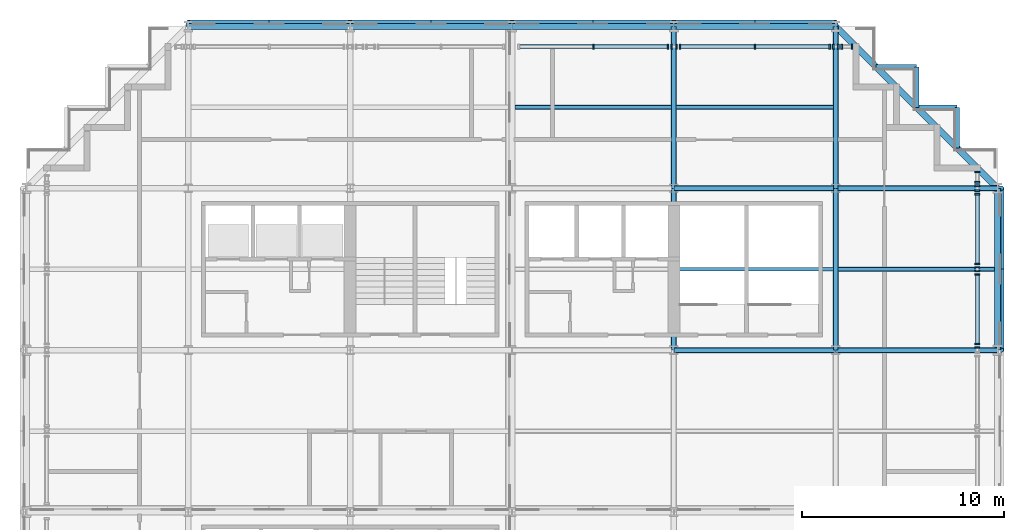
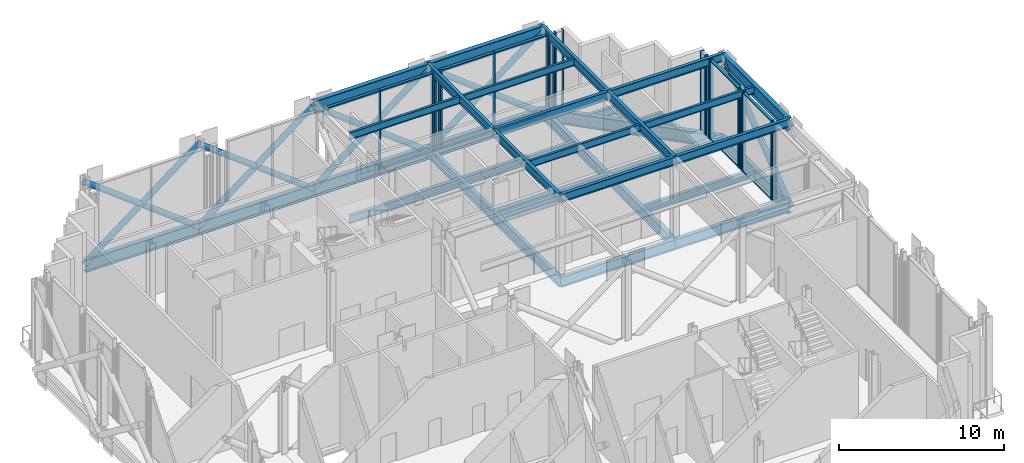
# One storey, part 7 of 25: 43 members, 36 beams, 11 elements without a shape of their own.
"""IFC4 building model written with IfcOpenShell, lengths in metres."""

from ifc_helpers import new_model, si_unit, direction, frame, origin, origin_2d, place, context, subcontext, project, spatial, rectangle, hollow_circle, i_section, extrude, material, material_profile, profile_set, type_object, element, aggregate, save


model = new_model("IFC4")

# Units and contexts
model_context = context("Model", 3, precision=1e-05, world=origin(), true_north=direction((0.0, 1.0)))
body_context = subcontext(model_context, "Body", "Model", "MODEL_VIEW")
ifc_project = project(units=[si_unit("LENGTHUNIT", "METRE"), si_unit("AREAUNIT", "SQUARE_METRE"), si_unit("VOLUMEUNIT", "CUBIC_METRE"), si_unit("PLANEANGLEUNIT", "RADIAN"), si_unit("MASSUNIT", "GRAM", prefix="KILO")], contexts=[model_context])

# Site, building, storey
site_placement = place(None, origin())
site = spatial("IfcSite", under=ifc_project, at=site_placement, CompositionType="ELEMENT")
building_placement = place(site_placement, origin())
building = spatial("IfcBuilding", under=site, at=building_placement, Name="Immortelle Media Tower", CompositionType="ELEMENT")
storey_placement = place(building_placement, frame((0.0, 0.0, 114.0)))
storey = spatial("IfcBuildingStorey", under=building, at=storey_placement, Name="L22", CompositionType="ELEMENT", Elevation=114.0)

# Members
ifc_material_1 = material(Name="Steel ASTM A500 Gr C", Category="steel")
ifc_material_profile_1 = material_profile(ifc_material_1, hollow_circle(Radius=0.202880859375, WallThickness=0.011962890625, at=origin_2d()), Name="HSS16.000x0.500 truss diagonal")
ifc_profile_set_1 = profile_set([ifc_material_profile_1], Name="Steel ASTM A500 Gr C")
member_type_1 = type_object("IfcMemberType", Name="HSS16.000x0.500 truss diagonal", PredefinedType="BRACE", material=ifc_profile_set_1)
for number, where, z_axis, x_axis, name in (
    (1, (8.0, 48.113037109375, -0.72509765625), (0.794648909693, 0.0, 0.607069279674), (0.0, 1.0, 0.0), "Belt truss G/2-3 A"),
    (2, (8.0, 48.113037109375, 5.386474609375), (0.794648909693, 0.0, -0.607069279674), (0.0, 1.0, 0.0), "Belt truss G/2-3 B"),
    (3, (16.0, 48.113037109375, -0.72509765625), (0.794648909693, 0.0, 0.607069279674), (0.0, 1.0, 0.0), "Belt truss G/3-4 A"),
    (4, (16.0, 48.113037109375, 5.386474609375), (0.794648909693, 0.0, -0.607069279674), (0.0, 1.0, 0.0), "Belt truss G/3-4 B"),
    (5, (24.0, 48.113037109375, -0.72509765625), (0.794648909693, 0.0, 0.607069279674), (0.0, 1.0, 0.0), "Belt truss G/4-5 A"),
    (6, (24.0, 48.113037109375, 5.386474609375), (0.794648909693, 0.0, -0.607069279674), (0.0, 1.0, 0.0), "Belt truss G/4-5 B"),
    (7, (32.0, 48.113037109375, -0.72509765625), (0.794648909693, 0.0, 0.607069279674), (0.0, 1.0, 0.0), "Belt truss G/5-6 A"),
    (8, (32.0, 48.113037109375, 5.386474609375), (0.794648909693, 0.0, -0.607069279674), (0.0, 1.0, 0.0), "Belt truss G/5-6 B"),
    (9, (48.113037109375, 32.0, -0.72509765625), (0.0, 0.794648909693, 0.607069279674), (-1.0, 0.0, 0.0), "Belt truss 7/E-F A"),
    (10, (48.113037109375, 32.0, 5.386474609375), (0.0, 0.794648909693, -0.607069279674), (-1.0, 0.0, 0.0), "Belt truss 7/E-F B"),
):
    element("IfcMember", number, at=place(storey_placement, frame(where, z_axis=z_axis, x_axis=x_axis)), inside=storey, type_object=member_type_1, Name=name, PredefinedType="BRACE", context=body_context, shape_type="SweptSolid", body=[
        extrude(hollow_circle(Radius=0.202880859375, WallThickness=0.011962890625, at=origin_2d()), origin(), (0.0, 0.0, 1.0), 10.0673828125),
    ])

# Curtain wall, member
ifc_material_2 = material(Name="Aluminium curtain wall system", Category="aluminium")
curtain_wall_type = type_object("IfcCurtainWallType", Name="Plant louvre wall curtain wall", PredefinedType="NOTDEFINED", material=ifc_material_2)
curtain_wall_1_placement = place(storey_placement, origin())
curtain_wall_1 = element("IfcCurtainWall", 11, at=curtain_wall_1_placement, inside=storey, type_object=curtain_wall_type, Name="Plant louvre wall L22 E 14-14", PredefinedType="NOTDEFINED")
ifc_material_3 = material(Name="Aluminium 6063-T6", Category="aluminium")
ifc_material_profile_2 = material_profile(ifc_material_3, rectangle(XDim=0.25, YDim=0.080078125, at=origin_2d()), Name="AL 80x250")
ifc_profile_set_2 = profile_set([ifc_material_profile_2], Name="Aluminium 6063-T6")
member_type_2 = type_object("IfcMemberType", Name="Plant louvre wall mullion 80 x 250", PredefinedType="MULLION", material=ifc_profile_set_2)
member_1_placement = place(storey_placement, frame((47.0, 32.12451171875, 0.0), z_axis=(0.0, 0.0, 1.0), x_axis=(-1.0, 0.0, 0.0)))
member_1 = element("IfcMember", 12, at=member_1_placement, type_object=member_type_2, Name="CW6 mullion 2", PredefinedType="MULLION", context=body_context, shape_type="SweptSolid", body=[
    extrude(rectangle(XDim=0.25, YDim=0.080078125, at=origin_2d()), origin(), (0.0, 0.0, 1.0), 5.237548828125),
])
aggregate(curtain_wall_1, [member_1])

# Curtain wall, members
curtain_wall_2_placement = place(storey_placement, origin())
curtain_wall_2 = element("IfcCurtainWall", 13, at=curtain_wall_2_placement, inside=storey, type_object=curtain_wall_type, Name="Plant louvre wall L22 E 14-15", PredefinedType="NOTDEFINED")
member_2_placement = place(storey_placement, frame((47.0, 32.29443359375, 0.0), z_axis=(0.0, 0.0, 1.0), x_axis=(-1.0, 0.0, 0.0)))
member_2 = element("IfcMember", 14, at=member_2_placement, type_object=member_type_2, Name="CW6 mullion 1", PredefinedType="MULLION", context=body_context, shape_type="SweptSolid", body=[
    extrude(rectangle(XDim=0.25, YDim=0.080078125, at=origin_2d()), origin(), (0.0, 0.0, 1.0), 5.849609375),
])
member_3_placement = place(storey_placement, frame((47.0, 35.737548828125, 0.0), z_axis=(0.0, 0.0, 1.0), x_axis=(-1.0, 0.0, 0.0)))
member_3 = element("IfcMember", 15, at=member_3_placement, type_object=member_type_2, Name="CW6 mullion 2", PredefinedType="MULLION", context=body_context, shape_type="SweptSolid", body=[
    extrude(rectangle(XDim=0.25, YDim=0.080078125, at=origin_2d()), origin(), (0.0, 0.0, 1.0), 5.849609375),
])

curtain_wall_3_placement = place(storey_placement, origin())
curtain_wall_3 = element("IfcCurtainWall", 16, at=curtain_wall_3_placement, inside=storey, type_object=curtain_wall_type, Name="Plant louvre wall L22 E 14-16", PredefinedType="NOTDEFINED")
member_4_placement = place(storey_placement, frame((47.0, 35.907470703125, 0.0), z_axis=(0.0, 0.0, 1.0), x_axis=(-1.0, 0.0, 0.0)))
member_4 = element("IfcMember", 17, at=member_4_placement, type_object=member_type_2, Name="CW6 mullion 1", PredefinedType="MULLION", context=body_context, shape_type="SweptSolid", body=[
    extrude(rectangle(XDim=0.25, YDim=0.080078125, at=origin_2d()), origin(), (0.0, 0.0, 1.0), 5.323486328125),
])
member_5_placement = place(storey_placement, frame((47.0, 36.092529296875, 0.0), z_axis=(0.0, 0.0, 1.0), x_axis=(-1.0, 0.0, 0.0)))
member_5 = element("IfcMember", 18, at=member_5_placement, type_object=member_type_2, Name="CW6 mullion 2", PredefinedType="MULLION", context=body_context, shape_type="SweptSolid", body=[
    extrude(rectangle(XDim=0.25, YDim=0.080078125, at=origin_2d()), origin(), (0.0, 0.0, 1.0), 5.323486328125),
])
aggregate(curtain_wall_3, [member_4, member_5])

curtain_wall_4_placement = place(storey_placement, origin())
curtain_wall_4 = element("IfcCurtainWall", 19, at=curtain_wall_4_placement, inside=storey, type_object=curtain_wall_type, Name="Plant louvre wall L22 E 14-17", PredefinedType="NOTDEFINED")
member_6_placement = place(storey_placement, frame((47.0, 36.262451171875, 0.0), z_axis=(0.0, 0.0, 1.0), x_axis=(-1.0, 0.0, 0.0)))
member_6 = element("IfcMember", 20, at=member_6_placement, type_object=member_type_2, Name="CW6 mullion 1", PredefinedType="MULLION", context=body_context, shape_type="SweptSolid", body=[
    extrude(rectangle(XDim=0.25, YDim=0.080078125, at=origin_2d()), origin(), (0.0, 0.0, 1.0), 5.849609375),
])
member_7_placement = place(storey_placement, frame((47.0, 39.70556640625, 0.0), z_axis=(0.0, 0.0, 1.0), x_axis=(-1.0, 0.0, 0.0)))
member_7 = element("IfcMember", 21, at=member_7_placement, type_object=member_type_2, Name="CW6 mullion 2", PredefinedType="MULLION", context=body_context, shape_type="SweptSolid", body=[
    extrude(rectangle(XDim=0.25, YDim=0.080078125, at=origin_2d()), origin(), (0.0, 0.0, 1.0), 5.849609375),
])

curtain_wall_5_placement = place(storey_placement, origin())
curtain_wall_5 = element("IfcCurtainWall", 22, at=curtain_wall_5_placement, inside=storey, type_object=curtain_wall_type, Name="Plant louvre wall L22 E 14-18", PredefinedType="NOTDEFINED")
member_8_placement = place(storey_placement, frame((47.0, 39.87548828125, 0.0), z_axis=(0.0, 0.0, 1.0), x_axis=(-1.0, 0.0, 0.0)))
member_8 = element("IfcMember", 23, at=member_8_placement, type_object=member_type_2, Name="CW6 mullion 1", PredefinedType="MULLION", context=body_context, shape_type="SweptSolid", body=[
    extrude(rectangle(XDim=0.25, YDim=0.080078125, at=origin_2d()), origin(), (0.0, 0.0, 1.0), 5.237548828125),
])
member_9_placement = place(storey_placement, frame((47.0, 40.12451171875, 0.0), z_axis=(0.0, 0.0, 1.0), x_axis=(-1.0, 0.0, 0.0)))
member_9 = element("IfcMember", 24, at=member_9_placement, type_object=member_type_2, Name="CW6 mullion 2", PredefinedType="MULLION", context=body_context, shape_type="SweptSolid", body=[
    extrude(rectangle(XDim=0.25, YDim=0.080078125, at=origin_2d()), origin(), (0.0, 0.0, 1.0), 5.237548828125),
])
aggregate(curtain_wall_5, [member_8, member_9])

curtain_wall_6_placement = place(storey_placement, origin())
curtain_wall_6 = element("IfcCurtainWall", 25, at=curtain_wall_6_placement, inside=storey, type_object=curtain_wall_type, Name="Plant louvre wall L22 E 14-19", PredefinedType="NOTDEFINED")
member_10_placement = place(storey_placement, frame((47.0, 40.29443359375, 0.0), z_axis=(0.0, 0.0, 1.0), x_axis=(-1.0, 0.0, 0.0)))
member_10 = element("IfcMember", 26, at=member_10_placement, type_object=member_type_2, Name="CW6 mullion 1", PredefinedType="MULLION", context=body_context, shape_type="SweptSolid", body=[
    extrude(rectangle(XDim=0.25, YDim=0.080078125, at=origin_2d()), origin(), (0.0, 0.0, 1.0), 5.849609375),
])
member_11_placement = place(storey_placement, frame((47.0, 40.81005859375, 0.0), z_axis=(0.0, 0.0, 1.0), x_axis=(-1.0, 0.0, 0.0)))
member_11 = element("IfcMember", 27, at=member_11_placement, type_object=member_type_2, Name="CW6 mullion 2", PredefinedType="MULLION", context=body_context, shape_type="SweptSolid", body=[
    extrude(rectangle(XDim=0.25, YDim=0.080078125, at=origin_2d()), origin(), (0.0, 0.0, 1.0), 5.849609375),
])
aggregate(curtain_wall_6, [member_10, member_11])

curtain_wall_7_placement = place(storey_placement, origin())
curtain_wall_7 = element("IfcCurtainWall", 28, at=curtain_wall_7_placement, inside=storey, type_object=curtain_wall_type, Name="Plant louvre wall L22 N 21-1", PredefinedType="NOTDEFINED")
member_12_placement = place(storey_placement, frame((40.81005859375, 47.0, 0.0), z_axis=(0.0, 0.0, 1.0), x_axis=(0.0, -1.0, 0.0)))
member_12 = element("IfcMember", 29, at=member_12_placement, type_object=member_type_2, Name="CW6 mullion 1", PredefinedType="MULLION", context=body_context, shape_type="SweptSolid", body=[
    extrude(rectangle(XDim=0.25, YDim=0.080078125, at=origin_2d()), origin(), (0.0, 0.0, 1.0), 5.849609375),
])
member_13_placement = place(storey_placement, frame((40.29443359375, 47.0, 0.0), z_axis=(0.0, 0.0, 1.0), x_axis=(0.0, -1.0, 0.0)))
member_13 = element("IfcMember", 30, at=member_13_placement, type_object=member_type_2, Name="CW6 mullion 2", PredefinedType="MULLION", context=body_context, shape_type="SweptSolid", body=[
    extrude(rectangle(XDim=0.25, YDim=0.080078125, at=origin_2d()), origin(), (0.0, 0.0, 1.0), 5.849609375),
])
aggregate(curtain_wall_7, [member_12, member_13])

curtain_wall_8_placement = place(storey_placement, origin())
curtain_wall_8 = element("IfcCurtainWall", 31, at=curtain_wall_8_placement, inside=storey, type_object=curtain_wall_type, Name="Plant louvre wall L22 N 21-2", PredefinedType="NOTDEFINED")
member_14_placement = place(storey_placement, frame((40.12451171875, 47.0, 0.0), z_axis=(0.0, 0.0, 1.0), x_axis=(0.0, -1.0, 0.0)))
member_14 = element("IfcMember", 32, at=member_14_placement, type_object=member_type_2, Name="CW6 mullion 1", PredefinedType="MULLION", context=body_context, shape_type="SweptSolid", body=[
    extrude(rectangle(XDim=0.25, YDim=0.080078125, at=origin_2d()), origin(), (0.0, 0.0, 1.0), 5.237548828125),
])
member_15_placement = place(storey_placement, frame((39.87548828125, 47.0, 0.0), z_axis=(0.0, 0.0, 1.0), x_axis=(0.0, -1.0, 0.0)))
member_15 = element("IfcMember", 33, at=member_15_placement, type_object=member_type_2, Name="CW6 mullion 2", PredefinedType="MULLION", context=body_context, shape_type="SweptSolid", body=[
    extrude(rectangle(XDim=0.25, YDim=0.080078125, at=origin_2d()), origin(), (0.0, 0.0, 1.0), 5.237548828125),
])
aggregate(curtain_wall_8, [member_14, member_15])

curtain_wall_9_placement = place(storey_placement, origin())
curtain_wall_9 = element("IfcCurtainWall", 34, at=curtain_wall_9_placement, inside=storey, type_object=curtain_wall_type, Name="Plant louvre wall L22 N 21-3", PredefinedType="NOTDEFINED")
member_16_placement = place(storey_placement, frame((39.70556640625, 47.0, 0.0), z_axis=(0.0, 0.0, 1.0), x_axis=(0.0, -1.0, 0.0)))
member_16 = element("IfcMember", 35, at=member_16_placement, type_object=member_type_2, Name="CW6 mullion 1", PredefinedType="MULLION", context=body_context, shape_type="SweptSolid", body=[
    extrude(rectangle(XDim=0.25, YDim=0.080078125, at=origin_2d()), origin(), (0.0, 0.0, 1.0), 5.849609375),
])
member_17_placement = place(storey_placement, frame((36.0, 47.0, 0.0), z_axis=(0.0, 0.0, 1.0), x_axis=(0.0, -1.0, 0.0)))
member_17 = element("IfcMember", 36, at=member_17_placement, type_object=member_type_2, Name="CW6 mullion 2", PredefinedType="MULLION", context=body_context, shape_type="SweptSolid", body=[
    extrude(rectangle(XDim=0.25, YDim=0.080078125, at=origin_2d()), origin(), (0.0, 0.0, 1.0), 5.849609375),
])
member_18_placement = place(storey_placement, frame((32.29443359375, 47.0, 0.0), z_axis=(0.0, 0.0, 1.0), x_axis=(0.0, -1.0, 0.0)))
member_18 = element("IfcMember", 37, at=member_18_placement, type_object=member_type_2, Name="CW6 mullion 3", PredefinedType="MULLION", context=body_context, shape_type="SweptSolid", body=[
    extrude(rectangle(XDim=0.25, YDim=0.080078125, at=origin_2d()), origin(), (0.0, 0.0, 1.0), 5.849609375),
])

curtain_wall_10_placement = place(storey_placement, origin())
curtain_wall_10 = element("IfcCurtainWall", 38, at=curtain_wall_10_placement, inside=storey, type_object=curtain_wall_type, Name="Plant louvre wall L22 N 21-4", PredefinedType="NOTDEFINED")
member_19_placement = place(storey_placement, frame((32.12451171875, 47.0, 0.0), z_axis=(0.0, 0.0, 1.0), x_axis=(0.0, -1.0, 0.0)))
member_19 = element("IfcMember", 39, at=member_19_placement, type_object=member_type_2, Name="CW6 mullion 1", PredefinedType="MULLION", context=body_context, shape_type="SweptSolid", body=[
    extrude(rectangle(XDim=0.25, YDim=0.080078125, at=origin_2d()), origin(), (0.0, 0.0, 1.0), 5.237548828125),
])
member_20_placement = place(storey_placement, frame((31.87548828125, 47.0, 0.0), z_axis=(0.0, 0.0, 1.0), x_axis=(0.0, -1.0, 0.0)))
member_20 = element("IfcMember", 40, at=member_20_placement, type_object=member_type_2, Name="CW6 mullion 2", PredefinedType="MULLION", context=body_context, shape_type="SweptSolid", body=[
    extrude(rectangle(XDim=0.25, YDim=0.080078125, at=origin_2d()), origin(), (0.0, 0.0, 1.0), 5.237548828125),
])
aggregate(curtain_wall_10, [member_19, member_20])

curtain_wall_11_placement = place(storey_placement, origin())
curtain_wall_11 = element("IfcCurtainWall", 41, at=curtain_wall_11_placement, inside=storey, type_object=curtain_wall_type, Name="Plant louvre wall L22 N 21-5", PredefinedType="NOTDEFINED")
member_21_placement = place(storey_placement, frame((31.70556640625, 47.0, 0.0), z_axis=(0.0, 0.0, 1.0), x_axis=(0.0, -1.0, 0.0)))
member_21 = element("IfcMember", 42, at=member_21_placement, type_object=member_type_2, Name="CW6 mullion 1", PredefinedType="MULLION", context=body_context, shape_type="SweptSolid", body=[
    extrude(rectangle(XDim=0.25, YDim=0.080078125, at=origin_2d()), origin(), (0.0, 0.0, 1.0), 5.849609375),
])
member_22_placement = place(storey_placement, frame((28.01953125, 47.0, 0.0), z_axis=(0.0, 0.0, 1.0), x_axis=(0.0, -1.0, 0.0)))
member_22 = element("IfcMember", 43, at=member_22_placement, type_object=member_type_2, Name="CW6 mullion 2", PredefinedType="MULLION", context=body_context, shape_type="SweptSolid", body=[
    extrude(rectangle(XDim=0.25, YDim=0.080078125, at=origin_2d()), origin(), (0.0, 0.0, 1.0), 5.849609375),
])

# Member
ifc_material_profile_3 = material_profile(ifc_material_3, rectangle(XDim=0.199951171875, YDim=0.080078125, at=origin_2d()), Name="AL 80x200")
ifc_profile_set_3 = profile_set([ifc_material_profile_3], Name="Aluminium 6063-T6")
member_type_3 = type_object("IfcMemberType", Name="Plant louvre wall transom 80 x 200", PredefinedType="USERDEFINED", material=ifc_profile_set_3)
member_23_placement = place(storey_placement, frame((47.0, 32.33447265625, 0.0400390625), z_axis=(0.0, 1.0, 0.0), x_axis=(-1.0, 0.0, 0.0)))
member_23 = element("IfcMember", 44, at=member_23_placement, type_object=member_type_3, Name="CW6 transom 1.1", ObjectType="TRANSOM", PredefinedType="USERDEFINED", context=body_context, shape_type="SweptSolid", body=[
    extrude(rectangle(XDim=0.199951171875, YDim=0.080078125, at=origin_2d()), origin(), (0.0, 0.0, 1.0), 3.363037109375),
])

member_24_placement = place(storey_placement, frame((47.0, 32.33447265625, 5.8095703125), z_axis=(0.0, 1.0, 0.0), x_axis=(-1.0, 0.0, 0.0)))
member_24 = element("IfcMember", 45, at=member_24_placement, type_object=member_type_3, Name="CW6 transom 1.2", ObjectType="TRANSOM", PredefinedType="USERDEFINED", context=body_context, shape_type="SweptSolid", body=[
    extrude(rectangle(XDim=0.199951171875, YDim=0.080078125, at=origin_2d()), origin(), (0.0, 0.0, 1.0), 3.363037109375),
])

aggregate(curtain_wall_2, [member_2, member_3, member_23, member_24])

member_25_placement = place(storey_placement, frame((47.0, 36.302490234375, 0.0400390625), z_axis=(0.0, 1.0, 0.0), x_axis=(-1.0, 0.0, 0.0)))
member_25 = element("IfcMember", 46, at=member_25_placement, type_object=member_type_3, Name="CW6 transom 1.1", ObjectType="TRANSOM", PredefinedType="USERDEFINED", context=body_context, shape_type="SweptSolid", body=[
    extrude(rectangle(XDim=0.199951171875, YDim=0.080078125, at=origin_2d()), origin(), (0.0, 0.0, 1.0), 3.363037109375),
])

member_26_placement = place(storey_placement, frame((47.0, 36.302490234375, 5.8095703125), z_axis=(0.0, 1.0, 0.0), x_axis=(-1.0, 0.0, 0.0)))
member_26 = element("IfcMember", 47, at=member_26_placement, type_object=member_type_3, Name="CW6 transom 1.2", ObjectType="TRANSOM", PredefinedType="USERDEFINED", context=body_context, shape_type="SweptSolid", body=[
    extrude(rectangle(XDim=0.199951171875, YDim=0.080078125, at=origin_2d()), origin(), (0.0, 0.0, 1.0), 3.363037109375),
])

aggregate(curtain_wall_4, [member_6, member_7, member_25, member_26])

member_27_placement = place(storey_placement, frame((39.66552734375, 47.0, 0.0400390625), z_axis=(-1.0, 0.0, 0.0), x_axis=(0.0, -1.0, 0.0)))
member_27 = element("IfcMember", 48, at=member_27_placement, type_object=member_type_3, Name="CW6 transom 1.1", ObjectType="TRANSOM", PredefinedType="USERDEFINED", context=body_context, shape_type="SweptSolid", body=[
    extrude(rectangle(XDim=0.199951171875, YDim=0.080078125, at=origin_2d()), origin(), (0.0, 0.0, 1.0), 3.62548828125),
])

member_28_placement = place(storey_placement, frame((39.66552734375, 47.0, 5.8095703125), z_axis=(-1.0, 0.0, 0.0), x_axis=(0.0, -1.0, 0.0)))
member_28 = element("IfcMember", 49, at=member_28_placement, type_object=member_type_3, Name="CW6 transom 1.2", ObjectType="TRANSOM", PredefinedType="USERDEFINED", context=body_context, shape_type="SweptSolid", body=[
    extrude(rectangle(XDim=0.199951171875, YDim=0.080078125, at=origin_2d()), origin(), (0.0, 0.0, 1.0), 3.62548828125),
])

member_29_placement = place(storey_placement, frame((35.9599609375, 47.0, 0.0400390625), z_axis=(-1.0, 0.0, 0.0), x_axis=(0.0, -1.0, 0.0)))
member_29 = element("IfcMember", 50, at=member_29_placement, type_object=member_type_3, Name="CW6 transom 2.1", ObjectType="TRANSOM", PredefinedType="USERDEFINED", context=body_context, shape_type="SweptSolid", body=[
    extrude(rectangle(XDim=0.199951171875, YDim=0.080078125, at=origin_2d()), origin(), (0.0, 0.0, 1.0), 3.62548828125),
])

member_30_placement = place(storey_placement, frame((35.9599609375, 47.0, 5.8095703125), z_axis=(-1.0, 0.0, 0.0), x_axis=(0.0, -1.0, 0.0)))
member_30 = element("IfcMember", 51, at=member_30_placement, type_object=member_type_3, Name="CW6 transom 2.2", ObjectType="TRANSOM", PredefinedType="USERDEFINED", context=body_context, shape_type="SweptSolid", body=[
    extrude(rectangle(XDim=0.199951171875, YDim=0.080078125, at=origin_2d()), origin(), (0.0, 0.0, 1.0), 3.62548828125),
])

aggregate(curtain_wall_9, [member_16, member_17, member_18, member_27, member_28, member_29, member_30])

member_31_placement = place(storey_placement, frame((31.66552734375, 47.0, 0.0400390625), z_axis=(-1.0, 0.0, 0.0), x_axis=(0.0, -1.0, 0.0)))
member_31 = element("IfcMember", 52, at=member_31_placement, type_object=member_type_3, Name="CW6 transom 1.1", ObjectType="TRANSOM", PredefinedType="USERDEFINED", context=body_context, shape_type="SweptSolid", body=[
    extrude(rectangle(XDim=0.199951171875, YDim=0.080078125, at=origin_2d()), origin(), (0.0, 0.0, 1.0), 3.60595703125),
])

member_32_placement = place(storey_placement, frame((31.66552734375, 47.0, 5.8095703125), z_axis=(-1.0, 0.0, 0.0), x_axis=(0.0, -1.0, 0.0)))
member_32 = element("IfcMember", 53, at=member_32_placement, type_object=member_type_3, Name="CW6 transom 1.2", ObjectType="TRANSOM", PredefinedType="USERDEFINED", context=body_context, shape_type="SweptSolid", body=[
    extrude(rectangle(XDim=0.199951171875, YDim=0.080078125, at=origin_2d()), origin(), (0.0, 0.0, 1.0), 3.60595703125),
])

member_33_placement = place(storey_placement, frame((27.9794921875, 47.0, 5.8095703125), z_axis=(-1.0, 0.0, 0.0), x_axis=(0.0, -1.0, 0.0)))
member_33 = element("IfcMember", 54, at=member_33_placement, type_object=member_type_3, Name="CW6 transom 2.2", ObjectType="TRANSOM", PredefinedType="USERDEFINED", context=body_context, shape_type="SweptSolid", body=[
    extrude(rectangle(XDim=0.199951171875, YDim=0.080078125, at=origin_2d()), origin(), (0.0, 0.0, 1.0), 3.60595703125),
])

aggregate(curtain_wall_11, [member_21, member_22, member_31, member_32, member_33])

# Beams
ifc_material_4 = material(Name="Steel ASTM A992 Gr 50", Category="steel")
ifc_material_profile_4 = material_profile(ifc_material_4, i_section(OverallWidth=0.1650390625, OverallDepth=0.52587890625, WebThickness=0.009033203125, FlangeThickness=0.010986328125, at=origin_2d()), Name="W21x44")
ifc_profile_set_4 = profile_set([ifc_material_profile_4], Name="Steel ASTM A992 Gr 50")
beam_type_1 = type_object("IfcBeamType", Name="W21x44 secondary beam", PredefinedType="JOIST", material=ifc_profile_set_4)
beam_1_placement = place(storey_placement, frame((32.114501953125, 36.0, 5.5869140625), z_axis=(1.0, 0.0, 0.0), x_axis=(0.0, 1.0, 0.0)))
element("IfcBeam", 55, at=beam_1_placement, inside=storey, type_object=beam_type_1, Name="Beam E-F/5-6", PredefinedType="JOIST", context=body_context, shape_type="SweptSolid", body=[
    extrude(i_section(OverallWidth=0.1650390625, OverallDepth=0.52587890625, WebThickness=0.009033203125, FlangeThickness=0.010986328125, at=origin_2d()), origin(), (0.0, 0.0, 1.0), 7.77099609375),
])
for number, where, z_axis, x_axis, name in (
    (56, (40.114501953125, 36.0, 5.5869140625), (1.0, 0.0, 0.0), (0.0, 1.0, 0.0), "Beam E-F/6-7"),
    (57, (24.153564453125, 44.0, 5.5869140625), (1.0, 0.0, 0.0), (0.0, 1.0, 0.0), "Beam F-G/4-5"),
):
    element("IfcBeam", number, at=place(storey_placement, frame(where, z_axis=z_axis, x_axis=x_axis)), inside=storey, type_object=beam_type_1, Name=name, PredefinedType="JOIST", context=body_context, shape_type="SweptSolid", body=[
        extrude(i_section(OverallWidth=0.1650390625, OverallDepth=0.52587890625, WebThickness=0.009033203125, FlangeThickness=0.010986328125, at=origin_2d()), origin(), (0.0, 0.0, 1.0), 7.73193359375),
    ])
beam_2_placement = place(storey_placement, frame((32.114501953125, 44.0, 5.5869140625), z_axis=(1.0, 0.0, 0.0), x_axis=(0.0, 1.0, 0.0)))
element("IfcBeam", 58, at=beam_2_placement, inside=storey, type_object=beam_type_1, Name="Beam F-G/5-6", PredefinedType="JOIST", context=body_context, shape_type="SweptSolid", body=[
    extrude(i_section(OverallWidth=0.1650390625, OverallDepth=0.52587890625, WebThickness=0.009033203125, FlangeThickness=0.010986328125, at=origin_2d()), origin(), (0.0, 0.0, 1.0), 7.77099609375),
])
ifc_material_profile_5 = material_profile(ifc_material_4, i_section(OverallWidth=0.22802734375, OverallDepth=0.60205078125, WebThickness=0.010986328125, FlangeThickness=0.014892578125, at=origin_2d()), Name="W24x68")
ifc_profile_set_5 = profile_set([ifc_material_profile_5], Name="Steel ASTM A992 Gr 50")
beam_type_2 = type_object("IfcBeamType", Name="W24x68 secondary beam", PredefinedType="JOIST", material=ifc_profile_set_5)
for number, where, z_axis, x_axis, name in (
    (59, (40.133544921875, 36.0, -0.551025390625), (1.0, 0.0, 0.0), (0.0, 1.0, 0.0), "Beam E-F/6-7"),
    (60, (24.155029296875, 44.0, -0.551025390625), (1.0, 0.0, 0.0), (0.0, 1.0, 0.0), "Beam F-G/4-5"),
):
    element("IfcBeam", number, at=place(storey_placement, frame(where, z_axis=z_axis, x_axis=x_axis)), inside=storey, type_object=beam_type_2, Name=name, PredefinedType="JOIST", context=body_context, shape_type="SweptSolid", body=[
        extrude(i_section(OverallWidth=0.22802734375, OverallDepth=0.60205078125, WebThickness=0.010986328125, FlangeThickness=0.014892578125, at=origin_2d()), origin(), (0.0, 0.0, 1.0), 7.71142578125),
    ])
beam_3_placement = place(storey_placement, frame((32.133544921875, 44.0, -0.551025390625), z_axis=(1.0, 0.0, 0.0), x_axis=(0.0, 1.0, 0.0)))
element("IfcBeam", 61, at=beam_3_placement, inside=storey, type_object=beam_type_2, Name="Beam F-G/5-6", PredefinedType="JOIST", context=body_context, shape_type="SweptSolid", body=[
    extrude(i_section(OverallWidth=0.22802734375, OverallDepth=0.60205078125, WebThickness=0.010986328125, FlangeThickness=0.014892578125, at=origin_2d()), origin(), (0.0, 0.0, 1.0), 7.73291015625),
])
ifc_material_profile_6 = material_profile(ifc_material_4, i_section(OverallWidth=0.22802734375, OverallDepth=0.60205078125, WebThickness=0.010986328125, FlangeThickness=0.014892578125, at=origin_2d()), Name="W24x68")
ifc_profile_set_6 = profile_set([ifc_material_profile_6], Name="Steel ASTM A992 Gr 50")
beam_type_3 = type_object("IfcBeamType", Name="W24x68 serration edge beam", PredefinedType="SPANDREL", material=ifc_profile_set_6)
for number, where, z_axis, x_axis, name in (
    (62, (42.0, 46.0, -0.551025390625), (1.0, 0.0, 0.0), (0.0, 1.0, 0.0), "Corner edge beam 1 at 7/G"),
    (63, (44.0, 46.0, -0.551025390625), (0.0, -1.0, 0.0), (1.0, 0.0, 0.0), "Corner edge beam 2 at 7/G"),
    (64, (44.0, 44.0, -0.551025390625), (1.0, 0.0, 0.0), (0.0, 1.0, 0.0), "Corner edge beam 3 at 7/G"),
    (65, (46.0, 44.0, -0.551025390625), (0.0, -1.0, 0.0), (1.0, 0.0, 0.0), "Corner edge beam 4 at 7/G"),
):
    element("IfcBeam", number, at=place(storey_placement, frame(where, z_axis=z_axis, x_axis=x_axis)), inside=storey, type_object=beam_type_3, Name=name, PredefinedType="SPANDREL", context=body_context, shape_type="SweptSolid", body=[
        extrude(i_section(OverallWidth=0.22802734375, OverallDepth=0.60205078125, WebThickness=0.010986328125, FlangeThickness=0.014892578125, at=origin_2d()), origin(), (0.0, 0.0, 1.0), 2.0),
    ])
ifc_material_profile_7 = material_profile(ifc_material_4, i_section(OverallWidth=0.22900390625, OverallDepth=0.612060546875, WebThickness=0.011962890625, FlangeThickness=0.02001953125, at=origin_2d()), Name="W24x84")
ifc_profile_set_7 = profile_set([ifc_material_profile_7], Name="Steel ASTM A992 Gr 50")
beam_type_4 = type_object("IfcBeamType", Name="W24x84 girder", PredefinedType="BEAM", material=ifc_profile_set_7)
for number, where, z_axis, x_axis, name in (
    (66, (32.0, 32.0, 5.5439453125), (1.0, 0.0, 0.0), (0.0, 1.0, 0.0), "Girder E/5-6"),
    (67, (32.0, 32.0, 5.5439453125), (0.0, 1.0, 0.0), (-1.0, 0.0, 0.0), "Girder 5/E-F"),
    (68, (32.0, 40.0, 5.5439453125), (1.0, 0.0, 0.0), (0.0, 1.0, 0.0), "Girder F/5-6"),
    (69, (32.0, 40.0, 5.5439453125), (0.0, 1.0, 0.0), (-1.0, 0.0, 0.0), "Girder 5/F-G"),
    (70, (40.0, 32.0, 5.5439453125), (1.0, 0.0, 0.0), (0.0, 1.0, 0.0), "Girder E/6-7"),
    (71, (40.0, 32.0, 5.5439453125), (0.0, 1.0, 0.0), (-1.0, 0.0, 0.0), "Girder 6/E-F"),
    (72, (40.0, 40.0, 5.5439453125), (1.0, 0.0, 0.0), (0.0, 1.0, 0.0), "Girder F/6-7"),
    (73, (40.0, 40.0, 5.5439453125), (0.0, 1.0, 0.0), (-1.0, 0.0, 0.0), "Girder 6/F-G"),
):
    element("IfcBeam", number, at=place(storey_placement, frame(where, z_axis=z_axis, x_axis=x_axis)), inside=storey, type_object=beam_type_4, Name=name, PredefinedType="BEAM", context=body_context, shape_type="SweptSolid", body=[
        extrude(i_section(OverallWidth=0.22900390625, OverallDepth=0.612060546875, WebThickness=0.011962890625, FlangeThickness=0.02001953125, at=origin_2d()), origin(), (0.0, 0.0, 1.0), 8.0),
    ])
ifc_material_profile_8 = material_profile(ifc_material_4, i_section(OverallWidth=0.26708984375, OverallDepth=0.761962890625, WebThickness=0.013916015625, FlangeThickness=0.02197265625, at=origin_2d()), Name="W30x116")
ifc_profile_set_8 = profile_set([ifc_material_profile_8], Name="Steel ASTM A992 Gr 50")
beam_type_5 = type_object("IfcBeamType", Name="W30x116 girder", PredefinedType="BEAM", material=ifc_profile_set_8)
for number, where, z_axis, x_axis, name in (
    (74, (32.0, 32.0, -0.631103515625), (1.0, 0.0, 0.0), (0.0, 1.0, 0.0), "Girder E/5-6"),
    (75, (32.0, 32.0, -0.631103515625), (0.0, 1.0, 0.0), (-1.0, 0.0, 0.0), "Girder 5/E-F"),
    (76, (32.0, 40.0, -0.631103515625), (1.0, 0.0, 0.0), (0.0, 1.0, 0.0), "Girder F/5-6"),
    (77, (32.0, 40.0, -0.631103515625), (0.0, 1.0, 0.0), (-1.0, 0.0, 0.0), "Girder 5/F-G"),
    (78, (40.0, 32.0, -0.631103515625), (1.0, 0.0, 0.0), (0.0, 1.0, 0.0), "Girder E/6-7"),
    (79, (40.0, 32.0, -0.631103515625), (0.0, 1.0, 0.0), (-1.0, 0.0, 0.0), "Girder 6/E-F"),
    (80, (40.0, 40.0, -0.631103515625), (1.0, 0.0, 0.0), (0.0, 1.0, 0.0), "Girder F/6-7"),
    (81, (40.0, 40.0, -0.631103515625), (0.0, 1.0, 0.0), (-1.0, 0.0, 0.0), "Girder 6/F-G"),
):
    element("IfcBeam", number, at=place(storey_placement, frame(where, z_axis=z_axis, x_axis=x_axis)), inside=storey, type_object=beam_type_5, Name=name, PredefinedType="BEAM", context=body_context, shape_type="SweptSolid", body=[
        extrude(i_section(OverallWidth=0.26708984375, OverallDepth=0.761962890625, WebThickness=0.013916015625, FlangeThickness=0.02197265625, at=origin_2d()), origin(), (0.0, 0.0, 1.0), 8.0),
    ])
ifc_material_profile_9 = material_profile(ifc_material_4, i_section(OverallWidth=0.306884765625, OverallDepth=0.927001953125, WebThickness=0.01904296875, FlangeThickness=0.031982421875, at=origin_2d()), Name="W36x194")
ifc_profile_set_9 = profile_set([ifc_material_profile_9], Name="Steel ASTM A992 Gr 50")
beam_type_6 = type_object("IfcBeamType", Name="W36x194 perimeter girder", PredefinedType="SPANDREL", material=ifc_profile_set_9)
for number, where, z_axis, x_axis, name in (
    (82, (24.0, 48.0, 5.386474609375), (1.0, 0.0, 0.0), (0.0, 1.0, 0.0), "Girder G/4-5"),
    (83, (32.0, 48.0, 5.386474609375), (1.0, 0.0, 0.0), (0.0, 1.0, 0.0), "Girder G/5-6"),
    (84, (48.0, 32.0, 5.386474609375), (0.0, 1.0, 0.0), (-1.0, 0.0, 0.0), "Girder 7/E-F"),
):
    element("IfcBeam", number, at=place(storey_placement, frame(where, z_axis=z_axis, x_axis=x_axis)), inside=storey, type_object=beam_type_6, Name=name, PredefinedType="SPANDREL", context=body_context, shape_type="SweptSolid", body=[
        extrude(i_section(OverallWidth=0.306884765625, OverallDepth=0.927001953125, WebThickness=0.01904296875, FlangeThickness=0.031982421875, at=origin_2d()), origin(), (0.0, 0.0, 1.0), 8.0),
    ])
ifc_material_profile_10 = material_profile(ifc_material_4, i_section(OverallWidth=0.31005859375, OverallDepth=0.949951171875, WebThickness=0.02392578125, FlangeThickness=0.0439453125, at=origin_2d()), Name="W36x256")
ifc_profile_set_10 = profile_set([ifc_material_profile_10], Name="Steel ASTM A992 Gr 50")
beam_type_7 = type_object("IfcBeamType", Name="W36x256 corner girder", PredefinedType="SPANDREL", material=ifc_profile_set_10)
beam_4_placement = place(storey_placement, frame((40.0, 48.0, -0.72509765625), z_axis=(0.707106781187, -0.707106781187, 0.0), x_axis=(0.707106781187, 0.707106781187, 0.0)))
element("IfcBeam", 85, at=beam_4_placement, inside=storey, type_object=beam_type_7, Name="Corner girder at 7/G", PredefinedType="SPANDREL", context=body_context, shape_type="SweptSolid", body=[
    extrude(i_section(OverallWidth=0.31005859375, OverallDepth=0.949951171875, WebThickness=0.02392578125, FlangeThickness=0.0439453125, at=origin_2d()), origin(), (0.0, 0.0, 1.0), 11.313720703125),
])
ifc_material_profile_11 = material_profile(ifc_material_4, i_section(OverallWidth=0.31005859375, OverallDepth=0.949951171875, WebThickness=0.02392578125, FlangeThickness=0.0439453125, at=origin_2d()), Name="W36x256")
ifc_profile_set_11 = profile_set([ifc_material_profile_11], Name="Steel ASTM A992 Gr 50")
beam_type_8 = type_object("IfcBeamType", Name="W36x256 perimeter girder", PredefinedType="SPANDREL", material=ifc_profile_set_11)
for number, where, z_axis, x_axis, name in (
    (86, (8.0, 48.0, -0.72509765625), (1.0, 0.0, 0.0), (0.0, 1.0, 0.0), "Girder G/2-3"),
    (87, (16.0, 48.0, -0.72509765625), (1.0, 0.0, 0.0), (0.0, 1.0, 0.0), "Girder G/3-4"),
    (88, (24.0, 48.0, -0.72509765625), (1.0, 0.0, 0.0), (0.0, 1.0, 0.0), "Girder G/4-5"),
    (89, (32.0, 48.0, -0.72509765625), (1.0, 0.0, 0.0), (0.0, 1.0, 0.0), "Girder G/5-6"),
    (90, (48.0, 32.0, -0.72509765625), (0.0, 1.0, 0.0), (-1.0, 0.0, 0.0), "Girder 7/E-F"),
):
    element("IfcBeam", number, at=place(storey_placement, frame(where, z_axis=z_axis, x_axis=x_axis)), inside=storey, type_object=beam_type_8, Name=name, PredefinedType="SPANDREL", context=body_context, shape_type="SweptSolid", body=[
        extrude(i_section(OverallWidth=0.31005859375, OverallDepth=0.949951171875, WebThickness=0.02392578125, FlangeThickness=0.0439453125, at=origin_2d()), origin(), (0.0, 0.0, 1.0), 8.0),
    ])

save(model, "model.ifc")
